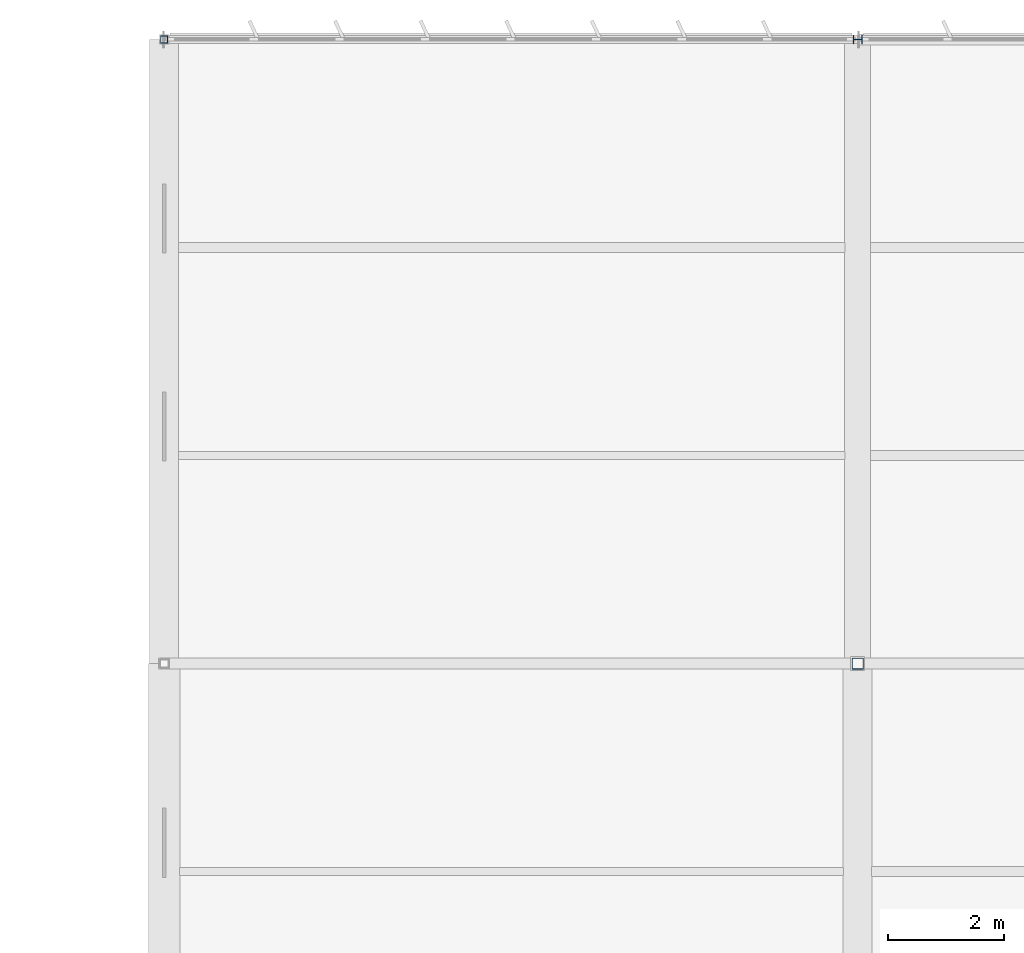
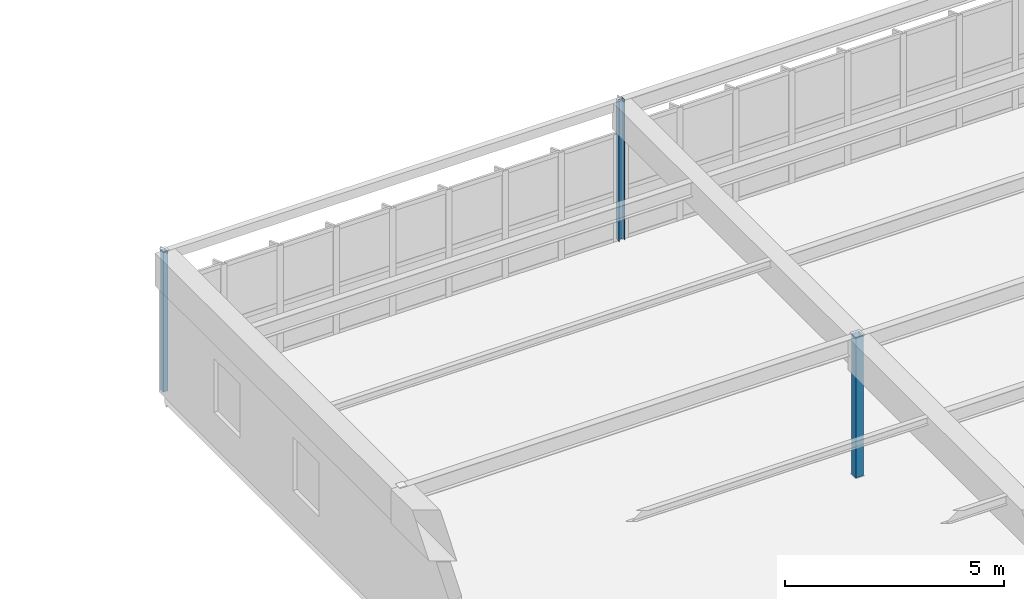
# One storey, part 24 of 128: 3 columns.
"""IFC4 building model written with IfcOpenShell, lengths in metres."""

from ifc_helpers import new_model, si_unit, direction, frame, origin, origin_2d, place, context, subcontext, project, spatial, hollow_rectangle, i_section, extrude, material, material_profile, profile_set, type_object, element, save


model = new_model("IFC4")

# Units and contexts
model_context = context("Model", 3, precision=1e-05, world=origin(), true_north=direction((0.0, 1.0)))
body_context = subcontext(model_context, "Body", "Model", "MODEL_VIEW")
ifc_project = project(units=[si_unit("LENGTHUNIT", "METRE"), si_unit("AREAUNIT", "SQUARE_METRE"), si_unit("VOLUMEUNIT", "CUBIC_METRE"), si_unit("PLANEANGLEUNIT", "RADIAN"), si_unit("MASSUNIT", "GRAM", prefix="KILO")], contexts=[model_context])

# Site, building, storey
site_placement = place(None, origin())
site = spatial("IfcSite", under=ifc_project, at=site_placement, CompositionType="ELEMENT")
building_placement = place(site_placement, origin())
building = spatial("IfcBuilding", under=site, at=building_placement, Name="Tarnwether General Hospital", CompositionType="ELEMENT")
storey_placement = place(building_placement, frame((0.0, 0.0, 14.39990234375)))
storey = spatial("IfcBuildingStorey", under=building, at=storey_placement, Name="L03", CompositionType="ELEMENT", Elevation=14.39990234375)

# Columns
ifc_material_1 = material(Name="Steel Grade C350L0 (350 MPa)", Category="steel")
ifc_material_profile_1 = material_profile(ifc_material_1, hollow_rectangle(XDim=0.199951171875, YDim=0.199951171875, WallThickness=0.010009765625, at=origin_2d()), Name="SHS200x200x10")
ifc_profile_set_1 = profile_set([ifc_material_profile_1], Name="Steel Grade C350L0 (350 MPa)")
column_type_1 = type_object("IfcColumnType", Name="COL-15", PredefinedType="COLUMN", material=ifc_profile_set_1)
column_1_placement = place(storey_placement, frame((156.0, 115.199951171875, 0.0), z_axis=(0.0, 0.0, 1.0), x_axis=(0.0, 1.0, 0.0)))
element("IfcColumn", 1, at=column_1_placement, inside=storey, type_object=column_type_1, Name="Column COLG-L03-15600_11520", PredefinedType="COLUMN", context=body_context, shape_type="SweptSolid", body=[
    extrude(hollow_rectangle(XDim=0.199951171875, YDim=0.199951171875, WallThickness=0.010009765625, at=origin_2d()), origin(), (0.0, 0.0, 1.0), 3.900146484375),
])
ifc_material_2 = material(Name="Steel Grade 350 (350 MPa)", Category="steel")
ifc_material_profile_2 = material_profile(ifc_material_2, i_section(OverallWidth=0.152099609375, OverallDepth=0.152099609375, WebThickness=0.006103515625, FlangeThickness=0.0068359375, at=origin_2d()), Name="150UC23.4")
ifc_profile_set_2 = profile_set([ifc_material_profile_2], Name="Steel Grade 350 (350 MPa)")
column_type_2 = type_object("IfcColumnType", Name="COL-32", PredefinedType="COLUMN", material=ifc_profile_set_2)
column_2_placement = place(storey_placement, frame((156.0, 126.0, 0.0), z_axis=(0.0, 0.0, 1.0), x_axis=(0.0, 1.0, 0.0)))
element("IfcColumn", 2, at=column_2_placement, inside=storey, type_object=column_type_2, Name="Column COLG-L03-15600_12600", PredefinedType="COLUMN", context=body_context, shape_type="SweptSolid", body=[
    extrude(i_section(OverallWidth=0.152099609375, OverallDepth=0.152099609375, WebThickness=0.006103515625, FlangeThickness=0.0068359375, at=origin_2d()), origin(), (0.0, 0.0, 1.0), 3.900146484375),
])
ifc_material_3 = material(Name="Steel Grade C350L0 (350 MPa)", Category="steel")
ifc_material_profile_3 = material_profile(ifc_material_3, hollow_rectangle(XDim=0.125, YDim=0.125, WallThickness=0.006103515625, at=origin_2d()), Name="SHS125x125x6")
ifc_profile_set_3 = profile_set([ifc_material_profile_3], Name="Steel Grade C350L0 (350 MPa)")
column_type_3 = type_object("IfcColumnType", Name="COL-34", PredefinedType="COLUMN", material=ifc_profile_set_3)
column_3_placement = place(storey_placement, frame((144.0, 126.0, 0.0), z_axis=(0.0, 0.0, 1.0), x_axis=(1.0, 0.0, 0.0)))
element("IfcColumn", 3, at=column_3_placement, inside=storey, type_object=column_type_3, Name="Column COLG-L03-14400_12600", PredefinedType="COLUMN", context=body_context, shape_type="SweptSolid", body=[
    extrude(hollow_rectangle(XDim=0.125, YDim=0.125, WallThickness=0.006103515625, at=origin_2d()), origin(), (0.0, 0.0, 1.0), 3.900146484375),
])

save(model, "model.ifc")
